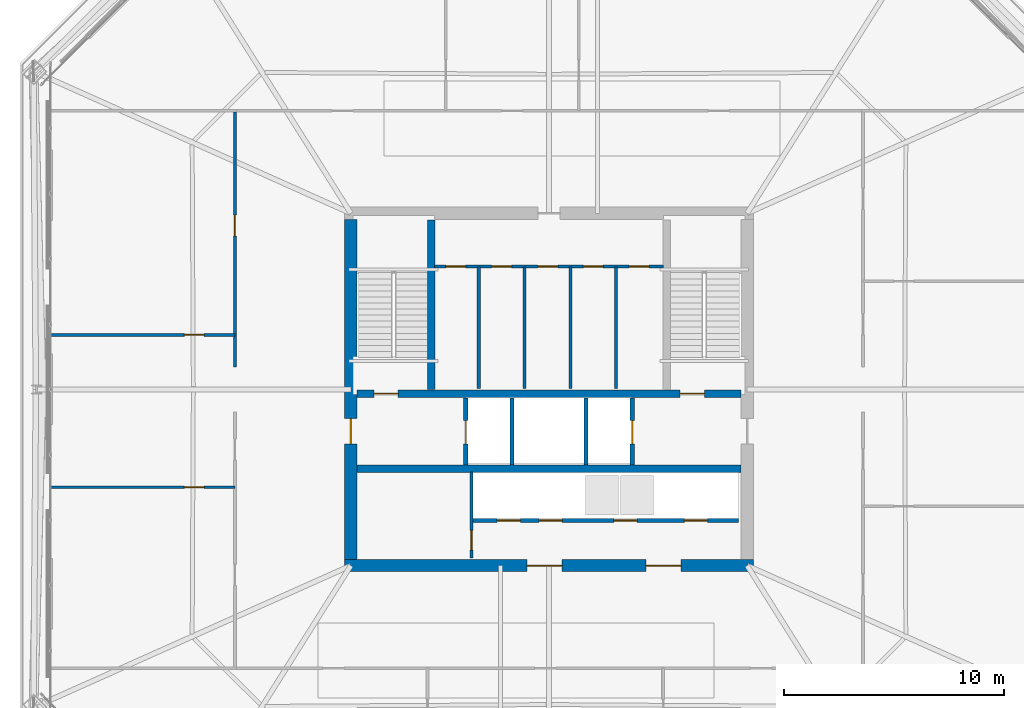
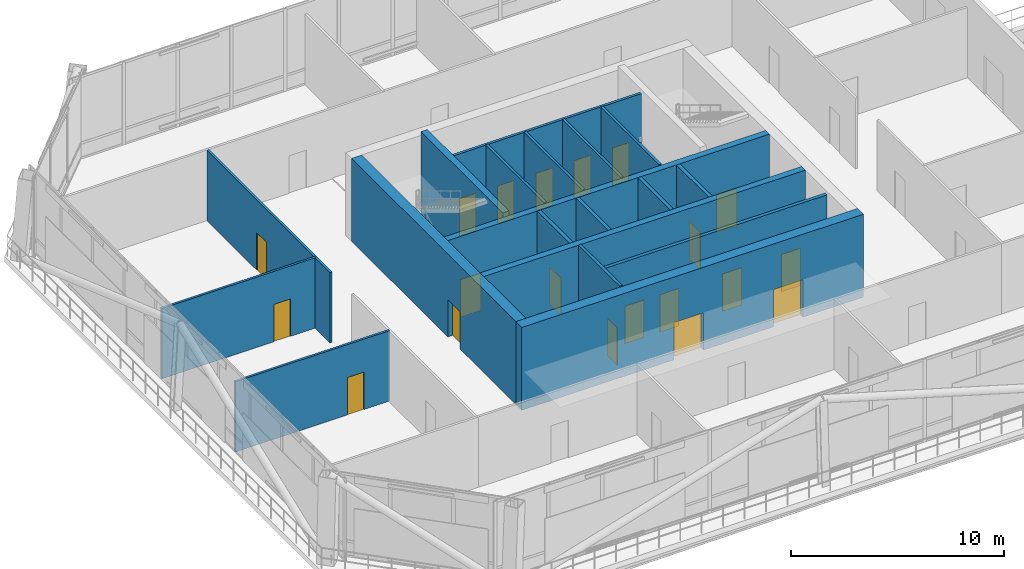
# One storey, part 28 of 34: 20 doors, 19 walls, 20 openings.
"""IFC4 building model written with IfcOpenShell, lengths in metres."""

from ifc_helpers import new_model, si_unit, direction, frame, frame_2d, origin, place, context, subcontext, project, spatial, rectangle, extrude, material, layer, layer_set, type_object, element, fill, save


model = new_model("IFC4")

# Units and contexts
model_context = context("Model", 3, precision=1e-05, world=origin(), true_north=direction((0.0, 1.0)))
body_context = subcontext(model_context, "Body", "Model", "MODEL_VIEW")
ifc_project = project(units=[si_unit("LENGTHUNIT", "METRE"), si_unit("AREAUNIT", "SQUARE_METRE"), si_unit("VOLUMEUNIT", "CUBIC_METRE"), si_unit("PLANEANGLEUNIT", "RADIAN"), si_unit("MASSUNIT", "GRAM", prefix="KILO")], contexts=[model_context])

# Site, building, storey
site_placement = place(None, origin())
site = spatial("IfcSite", under=ifc_project, at=site_placement, CompositionType="ELEMENT")
building_placement = place(site_placement, origin())
building = spatial("IfcBuilding", under=site, at=building_placement, Name="Caelvoria Tower", CompositionType="ELEMENT")
storey_placement = place(building_placement, frame((0.0, 0.0, 172.0)))
storey = spatial("IfcBuildingStorey", under=building, at=storey_placement, Name="L45", CompositionType="ELEMENT", Elevation=172.0)

# Wall, openings, doors
ifc_material_1 = material(Name="Concrete C50/60", Category="concrete")
ifc_layer_1 = layer(ifc_material_1, 0.35009765625, Name="Concrete C50/60")
ifc_layer_set_1 = layer_set([ifc_layer_1], Name="Core Internal Shear Wall 350 - Concrete C50/60")
wall_type_1 = type_object("IfcWallType", Name="Core Internal Shear Wall 350", PredefinedType="SHEAR", material=ifc_layer_set_1)
wall_1_placement = place(storey_placement, frame((37.27490234375, 31.800048828125, 0.0), z_axis=(0.0, 0.0, 1.0), x_axis=(1.0, 0.0, 0.0)))
wall_1 = element("IfcWall", 1, at=wall_1_placement, inside=storey, type_object=wall_type_1, Name="Core Shear Wall L45 M1", PredefinedType="SHEAR", context=body_context, shape_type="SweptSolid", body=[
    extrude(rectangle(XDim=17.4501953125, YDim=0.35009765625, at=frame_2d((8.72509765625, 0.0))), origin(), (0.0, 0.0, 1.0), 4.760009765625),
])
opening_1_placement = place(wall_1_placement, frame((0.77490234375, 0.0, 0.0)))
opening_1 = element("IfcOpeningElement", 2, at=opening_1_placement, cuts=wall_1, Name="Opening ID-01", PredefinedType="OPENING", context=body_context, shape_type="SweptSolid", body=[
    extrude(rectangle(XDim=1.10009765625, YDim=2.14990234375, at=frame_2d((0.550048828125, 1.074951171875))), frame((0.0, 0.18505859375, 0.0), z_axis=(0.0, -1.0, 0.0), x_axis=(1.0, 0.0, 0.0)), (0.0, 0.0, 1.0), 0.3701171875),
])
opening_2_placement = place(wall_1_placement, frame((14.675048828125, 0.0, 0.0)))
opening_2 = element("IfcOpeningElement", 3, at=opening_2_placement, cuts=wall_1, Name="Opening ID-01", PredefinedType="OPENING", context=body_context, shape_type="SweptSolid", body=[
    extrude(rectangle(XDim=1.10009765625, YDim=2.14990234375, at=frame_2d((0.550048828125, 1.074951171875))), frame((0.0, 0.18505859375, 0.0), z_axis=(0.0, -1.0, 0.0), x_axis=(1.0, 0.0, 0.0)), (0.0, 0.0, 1.0), 0.3701171875),
])
ifc_material_2 = material(Name="Painted Hollow Steel Fire Door", Category="steel")
door_type_1 = type_object("IfcDoorType", Name="Fire Door FD90S 1100x2150", OperationType="NOTDEFINED", PredefinedType="DOOR", material=ifc_material_2)
door_1_placement = place(opening_1_placement, origin())
door_1 = element("IfcDoor", 4, at=door_1_placement, inside=storey, type_object=door_type_1, Name="Core Door DR-L45-ST1", OperationType="SINGLE_SWING_LEFT", OverallHeight=2.14990234375, OverallWidth=1.10009765625, PredefinedType="DOOR", context=body_context, shape_type="SweptSolid", body=[
    extrude(rectangle(XDim=1.10009765625, YDim=2.14990234375, at=frame_2d((0.550048828125, 1.074951171875))), frame((0.0, 0.02490234375, 0.0), z_axis=(0.0, -1.0, 0.0), x_axis=(1.0, 0.0, 0.0)), (0.0, 0.0, 1.0), 0.050048828125),
])
fill(opening_1, door_1)
door_2_placement = place(opening_2_placement, origin())
door_2 = element("IfcDoor", 5, at=door_2_placement, inside=storey, type_object=door_type_1, Name="Core Door DR-L45-ST2", OperationType="SINGLE_SWING_RIGHT", OverallHeight=2.14990234375, OverallWidth=1.10009765625, PredefinedType="DOOR", context=body_context, shape_type="SweptSolid", body=[
    extrude(rectangle(XDim=1.10009765625, YDim=2.14990234375, at=frame_2d((0.550048828125, 1.074951171875))), frame((0.0, 0.02490234375, 0.0), z_axis=(0.0, -1.0, 0.0), x_axis=(1.0, 0.0, 0.0)), (0.0, 0.0, 1.0), 0.050048828125),
])
fill(opening_2, door_2)

# Walls
wall_2_placement = place(storey_placement, frame((37.27490234375, 28.39990234375, 0.0), z_axis=(0.0, 0.0, 1.0), x_axis=(1.0, 0.0, 0.0)))
element("IfcWall", 6, at=wall_2_placement, inside=storey, type_object=wall_type_1, Name="Core Shear Wall L45 M2", PredefinedType="SHEAR", context=body_context, shape_type="SweptSolid", body=[
    extrude(rectangle(XDim=17.4501953125, YDim=0.35009765625, at=frame_2d((8.72509765625, 0.0))), origin(), (0.0, 0.0, 1.0), 4.760009765625),
])
wall_3_placement = place(storey_placement, frame((40.64990234375, 32.0, 0.0), z_axis=(0.0, 0.0, 1.0), x_axis=(0.0, 1.0, 0.0)))
element("IfcWall", 7, at=wall_3_placement, inside=storey, type_object=wall_type_1, Name="Interior Partition IW-L45-ST1E", PredefinedType="SHEAR", context=body_context, shape_type="SweptSolid", body=[
    extrude(rectangle(XDim=7.699951171875, YDim=0.35009765625, at=frame_2d((3.85009765625, 0.0))), origin(), (0.0, 0.0, 1.0), 5.0),
])
ifc_material_3 = material(Name="Moisture-Resistant Gypsum on Steel Stud", Category="steel")
ifc_layer_2 = layer(ifc_material_3, 0.139892578125, Name="Moisture-Resistant Gypsum on Steel Stud")
ifc_layer_set_2 = layer_set([ifc_layer_2], Name="Core Sanitary Acoustic Partition Wall 140 - Moisture-Resistant Gypsum on Steel Stud")
wall_type_2 = type_object("IfcWallType", Name="Core Sanitary Acoustic Partition Wall 140", PredefinedType="PARTITIONING", material=ifc_layer_set_2)
for number, where, z_axis, x_axis, name in (
    (8, (42.81005859375, 32.050048828125, 0.0), (0.0, 0.0, 1.0), (0.0, 1.0, 0.0), "Interior Partition IW-L45-C1V0"),
    (9, (44.889892578125, 32.050048828125, 0.0), (0.0, 0.0, 1.0), (0.0, 1.0, 0.0), "Interior Partition IW-L45-C1V1"),
    (10, (46.969970703125, 32.050048828125, 0.0), (0.0, 0.0, 1.0), (0.0, 1.0, 0.0), "Interior Partition IW-L45-C1V2"),
    (11, (49.050048828125, 32.050048828125, 0.0), (0.0, 0.0, 1.0), (0.0, 1.0, 0.0), "Interior Partition IW-L45-C1V3"),
):
    element("IfcWall", number, at=place(storey_placement, frame(where, z_axis=z_axis, x_axis=x_axis)), inside=storey, type_object=wall_type_2, Name=name, PredefinedType="PARTITIONING", context=body_context, shape_type="SweptSolid", body=[
        extrude(rectangle(XDim=5.5, YDim=0.139892578125, at=frame_2d((2.75, 0.0))), origin(), (0.0, 0.0, 1.0), 4.760009765625),
    ])

# Wall, openings, doors
wall_4_placement = place(storey_placement, frame((40.800048828125, 37.580078125, 0.0), z_axis=(0.0, 0.0, 1.0), x_axis=(1.0, 0.0, 0.0)))
wall_4 = element("IfcWall", 12, at=wall_4_placement, inside=storey, type_object=wall_type_2, Name="Interior Partition IW-L45-C1H", PredefinedType="PARTITIONING", context=body_context, shape_type="SweptSolid", body=[
    extrude(rectangle(XDim=10.39990234375, YDim=0.139892578125, at=frame_2d((5.199951171875, 0.0))), origin(), (0.0, 0.0, 1.0), 4.760009765625),
])
opening_3_placement = place(wall_4_placement, frame((0.52001953125, 0.0, 0.0)))
opening_3 = element("IfcOpeningElement", 13, at=opening_3_placement, cuts=wall_4, Name="Opening ID-06", PredefinedType="OPENING", context=body_context, shape_type="SweptSolid", body=[
    extrude(rectangle(XDim=0.89990234375, YDim=2.14990234375, at=frame_2d((0.449951171875, 1.074951171875))), frame((0.0, 0.079833984375, 0.0), z_axis=(0.0, -1.0, 0.0), x_axis=(1.0, 0.0, 0.0)), (0.0, 0.0, 1.0), 0.159912109375),
])
opening_4_placement = place(wall_4_placement, frame((2.60009765625, 0.0, 0.0)))
opening_4 = element("IfcOpeningElement", 14, at=opening_4_placement, cuts=wall_4, Name="Opening ID-06", PredefinedType="OPENING", context=body_context, shape_type="SweptSolid", body=[
    extrude(rectangle(XDim=0.89990234375, YDim=2.14990234375, at=frame_2d((0.449951171875, 1.074951171875))), frame((0.0, 0.079833984375, 0.0), z_axis=(0.0, -1.0, 0.0), x_axis=(1.0, 0.0, 0.0)), (0.0, 0.0, 1.0), 0.159912109375),
])
opening_5_placement = place(wall_4_placement, frame((4.679931640625, 0.0, 0.0)))
opening_5 = element("IfcOpeningElement", 15, at=opening_5_placement, cuts=wall_4, Name="Opening ID-07", PredefinedType="OPENING", context=body_context, shape_type="SweptSolid", body=[
    extrude(rectangle(XDim=0.919921875, YDim=2.14990234375, at=frame_2d((0.4599609375, 1.074951171875))), frame((0.0, 0.079833984375, 0.0), z_axis=(0.0, -1.0, 0.0), x_axis=(1.0, 0.0, 0.0)), (0.0, 0.0, 1.0), 0.159912109375),
])
opening_6_placement = place(wall_4_placement, frame((6.760009765625, 0.0, 0.0)))
opening_6 = element("IfcOpeningElement", 16, at=opening_6_placement, cuts=wall_4, Name="Opening ID-06", PredefinedType="OPENING", context=body_context, shape_type="SweptSolid", body=[
    extrude(rectangle(XDim=0.89990234375, YDim=2.14990234375, at=frame_2d((0.449951171875, 1.074951171875))), frame((0.0, 0.079833984375, 0.0), z_axis=(0.0, -1.0, 0.0), x_axis=(1.0, 0.0, 0.0)), (0.0, 0.0, 1.0), 0.159912109375),
])
opening_7_placement = place(wall_4_placement, frame((8.840087890625, 0.0, 0.0)))
opening_7 = element("IfcOpeningElement", 17, at=opening_7_placement, cuts=wall_4, Name="Opening ID-06", PredefinedType="OPENING", context=body_context, shape_type="SweptSolid", body=[
    extrude(rectangle(XDim=0.89990234375, YDim=2.14990234375, at=frame_2d((0.449951171875, 1.074951171875))), frame((0.0, 0.079833984375, 0.0), z_axis=(0.0, -1.0, 0.0), x_axis=(1.0, 0.0, 0.0)), (0.0, 0.0, 1.0), 0.159912109375),
])
ifc_material_4 = material(Name="Engineered Andean Oak Accessible Door", Category="wood")
door_type_2 = type_object("IfcDoorType", Name="Accessible WC Door 950x2150", OperationType="NOTDEFINED", PredefinedType="DOOR", material=ifc_material_4)
door_3_placement = place(opening_5_placement, origin())
door_3 = element("IfcDoor", 18, at=door_3_placement, inside=storey, type_object=door_type_2, Name="Interior Door DR-L45-C1-3", OperationType="SINGLE_SWING_LEFT", OverallHeight=2.14990234375, OverallWidth=0.919921875, PredefinedType="DOOR", context=body_context, shape_type="SweptSolid", body=[
    extrude(rectangle(XDim=0.919921875, YDim=2.14990234375, at=frame_2d((0.4599609375, 1.074951171875))), frame((0.0, 0.02490234375, 0.0), z_axis=(0.0, -1.0, 0.0), x_axis=(1.0, 0.0, 0.0)), (0.0, 0.0, 1.0), 0.050048828125),
])
fill(opening_5, door_3)
ifc_material_5 = material(Name="Engineered Andean Oak Veneer Door", Category="wood")
door_type_3 = type_object("IfcDoorType", Name="Interior Timber Door 900x2150", OperationType="NOTDEFINED", PredefinedType="DOOR", material=ifc_material_5)
door_4_placement = place(opening_3_placement, origin())
door_4 = element("IfcDoor", 19, at=door_4_placement, inside=storey, type_object=door_type_3, Name="Interior Door DR-L45-C1-1", OperationType="SINGLE_SWING_LEFT", OverallHeight=2.14990234375, OverallWidth=0.89990234375, PredefinedType="DOOR", context=body_context, shape_type="SweptSolid", body=[
    extrude(rectangle(XDim=0.89990234375, YDim=2.14990234375, at=frame_2d((0.449951171875, 1.074951171875))), frame((0.0, 0.02490234375, 0.0), z_axis=(0.0, -1.0, 0.0), x_axis=(1.0, 0.0, 0.0)), (0.0, 0.0, 1.0), 0.050048828125),
])
fill(opening_3, door_4)
door_5_placement = place(opening_4_placement, origin())
door_5 = element("IfcDoor", 20, at=door_5_placement, inside=storey, type_object=door_type_3, Name="Interior Door DR-L45-C1-2", OperationType="SINGLE_SWING_RIGHT", OverallHeight=2.14990234375, OverallWidth=0.89990234375, PredefinedType="DOOR", context=body_context, shape_type="SweptSolid", body=[
    extrude(rectangle(XDim=0.89990234375, YDim=2.14990234375, at=frame_2d((0.449951171875, 1.074951171875))), frame((0.0, 0.02490234375, 0.0), z_axis=(0.0, -1.0, 0.0), x_axis=(1.0, 0.0, 0.0)), (0.0, 0.0, 1.0), 0.050048828125),
])
fill(opening_4, door_5)
door_6_placement = place(opening_6_placement, origin())
door_6 = element("IfcDoor", 21, at=door_6_placement, inside=storey, type_object=door_type_3, Name="Interior Door DR-L45-C1-4", OperationType="SINGLE_SWING_RIGHT", OverallHeight=2.14990234375, OverallWidth=0.89990234375, PredefinedType="DOOR", context=body_context, shape_type="SweptSolid", body=[
    extrude(rectangle(XDim=0.89990234375, YDim=2.14990234375, at=frame_2d((0.449951171875, 1.074951171875))), frame((0.0, 0.02490234375, 0.0), z_axis=(0.0, -1.0, 0.0), x_axis=(1.0, 0.0, 0.0)), (0.0, 0.0, 1.0), 0.050048828125),
])
fill(opening_6, door_6)
door_7_placement = place(opening_7_placement, origin())
door_7 = element("IfcDoor", 22, at=door_7_placement, inside=storey, type_object=door_type_3, Name="Interior Door DR-L45-C1-5", OperationType="SINGLE_SWING_LEFT", OverallHeight=2.14990234375, OverallWidth=0.89990234375, PredefinedType="DOOR", context=body_context, shape_type="SweptSolid", body=[
    extrude(rectangle(XDim=0.89990234375, YDim=2.14990234375, at=frame_2d((0.449951171875, 1.074951171875))), frame((0.0, 0.02490234375, 0.0), z_axis=(0.0, -1.0, 0.0), x_axis=(1.0, 0.0, 0.0)), (0.0, 0.0, 1.0), 0.050048828125),
])
fill(opening_7, door_7)

# Wall, opening, door
ifc_material_6 = material(Name="Double Gypsum Board on Steel Stud", Category="steel")
ifc_layer_3 = layer(ifc_material_6, 0.14990234375, Name="Double Gypsum Board on Steel Stud")
ifc_layer_set_3 = layer_set([ifc_layer_3], Name="Core Service Acoustic Partition Wall 150 - Double Gypsum Board on Steel Stud")
wall_type_3 = type_object("IfcWallType", Name="Core Service Acoustic Partition Wall 150", PredefinedType="PARTITIONING", material=ifc_layer_set_3)
wall_5_placement = place(storey_placement, frame((42.47998046875, 24.35009765625, 0.0), z_axis=(0.0, 0.0, 1.0), x_axis=(0.0, 1.0, 0.0)))
wall_5 = element("IfcWall", 23, at=wall_5_placement, inside=storey, type_object=wall_type_3, Name="Interior Partition IW-L45-RECL1E", PredefinedType="PARTITIONING", context=body_context, shape_type="SweptSolid", body=[
    extrude(rectangle(XDim=3.89990234375, YDim=0.14990234375, at=frame_2d((1.949951171875, 0.0))), origin(), (0.0, 0.0, 1.0), 4.760009765625),
])
opening_8_placement = place(wall_5_placement, frame((0.35009765625, 0.0, 0.0)))
opening_8 = element("IfcOpeningElement", 24, at=opening_8_placement, cuts=wall_5, Name="Opening ID-04", PredefinedType="OPENING", context=body_context, shape_type="SweptSolid", body=[
    extrude(rectangle(XDim=0.89990234375, YDim=2.14990234375, at=frame_2d((0.449951171875, 1.074951171875))), frame((0.0, 0.0849609375, 0.0), z_axis=(0.0, -1.0, 0.0), x_axis=(1.0, 0.0, 0.0)), (0.0, 0.0, 1.0), 0.169921875),
])
ifc_material_7 = material(Name="Acoustic Timber Fire Door", Category="wood")
door_type_4 = type_object("IfcDoorType", Name="Fire Door FD30S 900x2150", OperationType="NOTDEFINED", PredefinedType="DOOR", material=ifc_material_7)
door_8_placement = place(opening_8_placement, origin())
door_8 = element("IfcDoor", 25, at=door_8_placement, inside=storey, type_object=door_type_4, Name="Interior Door DR-L45-RECL1", OperationType="SINGLE_SWING_LEFT", OverallHeight=2.14990234375, OverallWidth=0.89990234375, PredefinedType="DOOR", context=body_context, shape_type="SweptSolid", body=[
    extrude(rectangle(XDim=0.89990234375, YDim=2.14990234375, at=frame_2d((0.449951171875, 1.074951171875))), frame((0.0, 0.02490234375, 0.0), z_axis=(0.0, -1.0, 0.0), x_axis=(1.0, 0.0, 0.0)), (0.0, 0.0, 1.0), 0.050048828125),
])
fill(opening_8, door_8)

# Walls
ifc_material_8 = material(Name="Concrete Block and Fireboard Assembly", Category="concrete")
ifc_layer_4 = layer(ifc_material_8, 0.179931640625, Name="Concrete Block and Fireboard Assembly")
ifc_layer_set_4 = layer_set([ifc_layer_4], Name="Fire-Rated Hoistway Partition Wall 180 - Concrete Block and Fireboard Assembly")
wall_type_4 = type_object("IfcWallType", Name="Fire-Rated Hoistway Partition Wall 180", PredefinedType="PARTITIONING", material=ifc_layer_set_4)
for number, where, z_axis, x_axis, name in (
    (26, (44.320068359375, 28.580078125, 0.0), (0.0, 0.0, 1.0), (0.0, 1.0, 0.0), "Interior Partition IW-L45-SV1W"),
    (27, (47.679931640625, 28.580078125, 0.0), (0.0, 0.0, 1.0), (0.0, 1.0, 0.0), "Interior Partition IW-L45-SV1E"),
):
    element("IfcWall", number, at=place(storey_placement, frame(where, z_axis=z_axis, x_axis=x_axis)), inside=storey, type_object=wall_type_4, Name=name, PredefinedType="PARTITIONING", context=body_context, shape_type="SweptSolid", body=[
        extrude(rectangle(XDim=3.0400390625, YDim=0.179931640625, at=frame_2d((1.52001953125, 0.0))), origin(), (0.0, 0.0, 1.0), 4.760009765625),
    ])

# Wall, openings, doors
wall_6_placement = place(storey_placement, frame((42.550048828125, 26.050048828125, 0.0), z_axis=(0.0, 0.0, 1.0), x_axis=(1.0, 0.0, 0.0)))
wall_6 = element("IfcWall", 28, at=wall_6_placement, inside=storey, type_object=wall_type_4, Name="Interior Partition IW-L45-LFRONT", PredefinedType="PARTITIONING", context=body_context, shape_type="SweptSolid", body=[
    extrude(rectangle(XDim=12.050048828125, YDim=0.179931640625, at=frame_2d((6.02490234375, 0.0))), origin(), (0.0, 0.0, 1.0), 4.760009765625),
])
opening_9_placement = place(wall_6_placement, frame((1.10009765625, 0.0, 0.0)))
opening_9 = element("IfcOpeningElement", 29, at=opening_9_placement, cuts=wall_6, Name="Opening LD-01", PredefinedType="OPENING", context=body_context, shape_type="SweptSolid", body=[
    extrude(rectangle(XDim=1.050048828125, YDim=2.14990234375, at=frame_2d((0.52490234375, 1.074951171875))), frame((0.0, 0.099853515625, 0.0), z_axis=(0.0, -1.0, 0.0), x_axis=(1.0, 0.0, 0.0)), (0.0, 0.0, 1.0), 0.199951171875),
])
opening_10_placement = place(wall_6_placement, frame((3.0, 0.0, 0.0)))
opening_10 = element("IfcOpeningElement", 30, at=opening_10_placement, cuts=wall_6, Name="Opening LD-01", PredefinedType="OPENING", context=body_context, shape_type="SweptSolid", body=[
    extrude(rectangle(XDim=1.050048828125, YDim=2.14990234375, at=frame_2d((0.52490234375, 1.074951171875))), frame((0.0, 0.099853515625, 0.0), z_axis=(0.0, -1.0, 0.0), x_axis=(1.0, 0.0, 0.0)), (0.0, 0.0, 1.0), 0.199951171875),
])
opening_11_placement = place(wall_6_placement, frame((6.39990234375, 0.0, 0.0)))
opening_11 = element("IfcOpeningElement", 31, at=opening_11_placement, cuts=wall_6, Name="Opening LD-01", PredefinedType="OPENING", context=body_context, shape_type="SweptSolid", body=[
    extrude(rectangle(XDim=1.050048828125, YDim=2.14990234375, at=frame_2d((0.52490234375, 1.074951171875))), frame((0.0, 0.099853515625, 0.0), z_axis=(0.0, -1.0, 0.0), x_axis=(1.0, 0.0, 0.0)), (0.0, 0.0, 1.0), 0.199951171875),
])
opening_12_placement = place(wall_6_placement, frame((9.60009765625, 0.0, 0.0)))
opening_12 = element("IfcOpeningElement", 32, at=opening_12_placement, cuts=wall_6, Name="Opening LD-01", PredefinedType="OPENING", context=body_context, shape_type="SweptSolid", body=[
    extrude(rectangle(XDim=1.050048828125, YDim=2.14990234375, at=frame_2d((0.52490234375, 1.074951171875))), frame((0.0, 0.099853515625, 0.0), z_axis=(0.0, -1.0, 0.0), x_axis=(1.0, 0.0, 0.0)), (0.0, 0.0, 1.0), 0.199951171875),
])
ifc_material_9 = material(Name="Brushed Bronze Stainless Sliding Landing Door", Category="aluminium")
door_type_5 = type_object("IfcDoorType", Name="Lift Landing Sliding Door 1100x2150", OperationType="NOTDEFINED", PredefinedType="DOOR", material=ifc_material_9)
door_9_placement = place(opening_9_placement, origin())
door_9 = element("IfcDoor", 33, at=door_9_placement, inside=storey, type_object=door_type_5, Name="Interior Door LD-L45-PM1", OperationType="SLIDING_TO_LEFT", OverallHeight=2.14990234375, OverallWidth=1.050048828125, PredefinedType="DOOR", context=body_context, shape_type="SweptSolid", body=[
    extrude(rectangle(XDim=1.050048828125, YDim=2.14990234375, at=frame_2d((0.52490234375, 1.074951171875))), frame((0.0, 0.02490234375, 0.0), z_axis=(0.0, -1.0, 0.0), x_axis=(1.0, 0.0, 0.0)), (0.0, 0.0, 1.0), 0.050048828125),
])
fill(opening_9, door_9)
door_10_placement = place(opening_10_placement, origin())
door_10 = element("IfcDoor", 34, at=door_10_placement, inside=storey, type_object=door_type_5, Name="Interior Door LD-L45-PM2", OperationType="SLIDING_TO_RIGHT", OverallHeight=2.14990234375, OverallWidth=1.050048828125, PredefinedType="DOOR", context=body_context, shape_type="SweptSolid", body=[
    extrude(rectangle(XDim=1.050048828125, YDim=2.14990234375, at=frame_2d((0.52490234375, 1.074951171875))), frame((0.0, 0.02490234375, 0.0), z_axis=(0.0, -1.0, 0.0), x_axis=(1.0, 0.0, 0.0)), (0.0, 0.0, 1.0), 0.050048828125),
])
fill(opening_10, door_10)
door_11_placement = place(opening_11_placement, origin())
door_11 = element("IfcDoor", 35, at=door_11_placement, inside=storey, type_object=door_type_5, Name="Interior Door LD-L45-PH1", OperationType="SLIDING_TO_LEFT", OverallHeight=2.14990234375, OverallWidth=1.050048828125, PredefinedType="DOOR", context=body_context, shape_type="SweptSolid", body=[
    extrude(rectangle(XDim=1.050048828125, YDim=2.14990234375, at=frame_2d((0.52490234375, 1.074951171875))), frame((0.0, 0.02490234375, 0.0), z_axis=(0.0, -1.0, 0.0), x_axis=(1.0, 0.0, 0.0)), (0.0, 0.0, 1.0), 0.050048828125),
])
fill(opening_11, door_11)
door_12_placement = place(opening_12_placement, origin())
door_12 = element("IfcDoor", 36, at=door_12_placement, inside=storey, type_object=door_type_5, Name="Interior Door LD-L45-PS1", OperationType="SLIDING_TO_RIGHT", OverallHeight=2.14990234375, OverallWidth=1.050048828125, PredefinedType="DOOR", context=body_context, shape_type="SweptSolid", body=[
    extrude(rectangle(XDim=1.050048828125, YDim=2.14990234375, at=frame_2d((0.52490234375, 1.074951171875))), frame((0.0, 0.02490234375, 0.0), z_axis=(0.0, -1.0, 0.0), x_axis=(1.0, 0.0, 0.0)), (0.0, 0.0, 1.0), 0.050048828125),
])
fill(opening_12, door_12)

# Wall, opening, door
ifc_layer_5 = layer(ifc_material_8, 0.199951171875, Name="Concrete Block and Fireboard Assembly")
ifc_layer_set_5 = layer_set([ifc_layer_5], Name="Fire-Rated Shaft and Core Partition Wall 200 - Concrete Block and Fireboard Assembly")
wall_type_5 = type_object("IfcWallType", Name="Fire-Rated Shaft and Core Partition Wall 200", PredefinedType="PARTITIONING", material=ifc_layer_set_5)
wall_7_placement = place(storey_placement, frame((42.219970703125, 28.580078125, 0.0), z_axis=(0.0, 0.0, 1.0), x_axis=(0.0, 1.0, 0.0)))
wall_7 = element("IfcWall", 37, at=wall_7_placement, inside=storey, type_object=wall_type_5, Name="Interior Partition IW-L45-LF1W", PredefinedType="PARTITIONING", context=body_context, shape_type="SweptSolid", body=[
    extrude(rectangle(XDim=3.0400390625, YDim=0.199951171875, at=frame_2d((1.52001953125, 0.0))), origin(), (0.0, 0.0, 1.0), 4.760009765625),
])
opening_13_placement = place(wall_7_placement, frame((0.949951171875, 0.0, 0.0)))
opening_13 = element("IfcOpeningElement", 38, at=opening_13_placement, cuts=wall_7, Name="Opening LD-01", PredefinedType="OPENING", context=body_context, shape_type="SweptSolid", body=[
    extrude(rectangle(XDim=1.050048828125, YDim=2.14990234375, at=frame_2d((0.52490234375, 1.074951171875))), frame((0.0, 0.10986328125, 0.0), z_axis=(0.0, -1.0, 0.0), x_axis=(1.0, 0.0, 0.0)), (0.0, 0.0, 1.0), 0.219970703125),
])
door_13_placement = place(opening_13_placement, origin())
door_13 = element("IfcDoor", 39, at=door_13_placement, inside=storey, type_object=door_type_5, Name="Interior Door LD-L45-LF1", OperationType="SLIDING_TO_LEFT", OverallHeight=2.14990234375, OverallWidth=1.050048828125, PredefinedType="DOOR", context=body_context, shape_type="SweptSolid", body=[
    extrude(rectangle(XDim=1.050048828125, YDim=2.14990234375, at=frame_2d((0.52490234375, 1.074951171875))), frame((0.0, 0.02490234375, 0.0), z_axis=(0.0, -1.0, 0.0), x_axis=(1.0, 0.0, 0.0)), (0.0, 0.0, 1.0), 0.050048828125),
])
fill(opening_13, door_13)

wall_8_placement = place(storey_placement, frame((49.780029296875, 28.580078125, 0.0), z_axis=(0.0, 0.0, 1.0), x_axis=(0.0, 1.0, 0.0)))
wall_8 = element("IfcWall", 40, at=wall_8_placement, inside=storey, type_object=wall_type_5, Name="Interior Partition IW-L45-LF2E", PredefinedType="PARTITIONING", context=body_context, shape_type="SweptSolid", body=[
    extrude(rectangle(XDim=3.0400390625, YDim=0.199951171875, at=frame_2d((1.52001953125, 0.0))), origin(), (0.0, 0.0, 1.0), 4.760009765625),
])
opening_14_placement = place(wall_8_placement, frame((0.949951171875, 0.0, 0.0)))
opening_14 = element("IfcOpeningElement", 41, at=opening_14_placement, cuts=wall_8, Name="Opening LD-01", PredefinedType="OPENING", context=body_context, shape_type="SweptSolid", body=[
    extrude(rectangle(XDim=1.050048828125, YDim=2.14990234375, at=frame_2d((0.52490234375, 1.074951171875))), frame((0.0, 0.10986328125, 0.0), z_axis=(0.0, -1.0, 0.0), x_axis=(1.0, 0.0, 0.0)), (0.0, 0.0, 1.0), 0.219970703125),
])
door_14_placement = place(opening_14_placement, origin())
door_14 = element("IfcDoor", 42, at=door_14_placement, inside=storey, type_object=door_type_5, Name="Interior Door LD-L45-LF2", OperationType="SLIDING_TO_RIGHT", OverallHeight=2.14990234375, OverallWidth=1.050048828125, PredefinedType="DOOR", context=body_context, shape_type="SweptSolid", body=[
    extrude(rectangle(XDim=1.050048828125, YDim=2.14990234375, at=frame_2d((0.52490234375, 1.074951171875))), frame((0.0, 0.02490234375, 0.0), z_axis=(0.0, -1.0, 0.0), x_axis=(1.0, 0.0, 0.0)), (0.0, 0.0, 1.0), 0.050048828125),
])
fill(opening_14, door_14)

# Wall, openings, doors
ifc_material_10 = material(Name="Concrete C55/67", Category="concrete")
ifc_layer_6 = layer(ifc_material_10, 0.550048828125, Name="Concrete C55/67")
ifc_layer_set_6 = layer_set([ifc_layer_6], Name="Mid Core Shear Wall 550 - Concrete C55/67")
wall_type_6 = type_object("IfcWallType", Name="Mid Core Shear Wall 550", PredefinedType="SHEAR", material=ifc_layer_set_6)
wall_9_placement = place(storey_placement, frame((36.72509765625, 24.0, 0.0), z_axis=(0.0, 0.0, 1.0), x_axis=(1.0, 0.0, 0.0)))
wall_9 = element("IfcWall", 43, at=wall_9_placement, inside=storey, type_object=wall_type_6, Name="Core Shear Wall L45 S", PredefinedType="SHEAR", context=body_context, shape_type="SweptSolid", body=[
    extrude(rectangle(XDim=18.5498046875, YDim=0.550048828125, at=frame_2d((9.27490234375, 0.0))), origin(), (0.0, 0.0, 1.0), 4.760009765625),
])
opening_15_placement = place(wall_9_placement, frame((8.27490234375, 0.0, 0.0)))
opening_15 = element("IfcOpeningElement", 44, at=opening_15_placement, cuts=wall_9, Name="Opening ID-08", PredefinedType="OPENING", context=body_context, shape_type="SweptSolid", body=[
    extrude(rectangle(XDim=1.60009765625, YDim=2.14990234375, at=frame_2d((0.800048828125, 1.074951171875))), frame((0.0, 0.284912109375, 0.0), z_axis=(0.0, -1.0, 0.0), x_axis=(1.0, 0.0, 0.0)), (0.0, 0.0, 1.0), 0.570068359375),
])
opening_16_placement = place(wall_9_placement, frame((13.675048828125, 0.0, 0.0)))
opening_16 = element("IfcOpeningElement", 45, at=opening_16_placement, cuts=wall_9, Name="Opening ID-08", PredefinedType="OPENING", context=body_context, shape_type="SweptSolid", body=[
    extrude(rectangle(XDim=1.60009765625, YDim=2.14990234375, at=frame_2d((0.800048828125, 1.074951171875))), frame((0.0, 0.284912109375, 0.0), z_axis=(0.0, -1.0, 0.0), x_axis=(1.0, 0.0, 0.0)), (0.0, 0.0, 1.0), 0.570068359375),
])
ifc_material_11 = material(Name="Bronze-Framed Fire-Rated Glazed Double Door", Category="aluminium")
door_type_6 = type_object("IfcDoorType", Name="Double Lobby Glazed Door 1600x2200", OperationType="NOTDEFINED", PredefinedType="DOOR", material=ifc_material_11)
door_15_placement = place(opening_15_placement, origin())
door_15 = element("IfcDoor", 46, at=door_15_placement, inside=storey, type_object=door_type_6, Name="Core Door DR-L45-LLOB-S1", OperationType="DOUBLE_DOOR_SINGLE_SWING", OverallHeight=2.14990234375, OverallWidth=1.60009765625, PredefinedType="DOOR", context=body_context, shape_type="SweptSolid", body=[
    extrude(rectangle(XDim=1.60009765625, YDim=2.14990234375, at=frame_2d((0.800048828125, 1.074951171875))), frame((0.0, 0.02490234375, 0.0), z_axis=(0.0, -1.0, 0.0), x_axis=(1.0, 0.0, 0.0)), (0.0, 0.0, 1.0), 0.050048828125),
])
fill(opening_15, door_15)
door_16_placement = place(opening_16_placement, origin())
door_16 = element("IfcDoor", 47, at=door_16_placement, inside=storey, type_object=door_type_6, Name="Core Door DR-L45-LLOB-S2", OperationType="DOUBLE_DOOR_SINGLE_SWING", OverallHeight=2.14990234375, OverallWidth=1.60009765625, PredefinedType="DOOR", context=body_context, shape_type="SweptSolid", body=[
    extrude(rectangle(XDim=1.60009765625, YDim=2.14990234375, at=frame_2d((0.800048828125, 1.074951171875))), frame((0.0, 0.02490234375, 0.0), z_axis=(0.0, -1.0, 0.0), x_axis=(1.0, 0.0, 0.0)), (0.0, 0.0, 1.0), 0.050048828125),
])
fill(opening_16, door_16)

# Wall, opening, door
wall_10_placement = place(storey_placement, frame((37.0, 24.27490234375, 0.0), z_axis=(0.0, 0.0, 1.0), x_axis=(0.0, 1.0, 0.0)))
wall_10 = element("IfcWall", 48, at=wall_10_placement, inside=storey, type_object=wall_type_6, Name="Core Shear Wall L45 W", PredefinedType="SHEAR", context=body_context, shape_type="SweptSolid", body=[
    extrude(rectangle(XDim=15.4501953125, YDim=0.550048828125, at=frame_2d((7.72509765625, 0.0))), origin(), (0.0, 0.0, 1.0), 4.760009765625),
])
opening_17_placement = place(wall_10_placement, frame((5.25, 0.0, 0.0)))
opening_17 = element("IfcOpeningElement", 49, at=opening_17_placement, cuts=wall_10, Name="Opening ID-02", PredefinedType="OPENING", context=body_context, shape_type="SweptSolid", body=[
    extrude(rectangle(XDim=1.14990234375, YDim=2.14990234375, at=frame_2d((0.574951171875, 1.074951171875))), frame((0.0, 0.284912109375, 0.0), z_axis=(0.0, -1.0, 0.0), x_axis=(1.0, 0.0, 0.0)), (0.0, 0.0, 1.0), 0.570068359375),
])
door_type_7 = type_object("IfcDoorType", Name="Fire Door FD60S 1150x2150", OperationType="NOTDEFINED", PredefinedType="DOOR", material=ifc_material_2)
door_17_placement = place(opening_17_placement, origin())
door_17 = element("IfcDoor", 50, at=door_17_placement, inside=storey, type_object=door_type_7, Name="Core Door DR-L45-FFLW-OUT", OperationType="SINGLE_SWING_LEFT", OverallHeight=2.14990234375, OverallWidth=1.14990234375, PredefinedType="DOOR", context=body_context, shape_type="SweptSolid", body=[
    extrude(rectangle(XDim=1.14990234375, YDim=2.14990234375, at=frame_2d((0.574951171875, 1.074951171875))), frame((0.0, 0.02490234375, 0.0), z_axis=(0.0, -1.0, 0.0), x_axis=(1.0, 0.0, 0.0)), (0.0, 0.0, 1.0), 0.050048828125),
])
fill(opening_17, door_17)

ifc_material_12 = material(Name="Acoustic Gypsum Board on Light-Gauge Stud", Category="gypsum")
ifc_layer_7 = layer(ifc_material_12, 0.1201171875, Name="Acoustic Gypsum Board on Light-Gauge Stud")
ifc_layer_set_7 = layer_set([ifc_layer_7], Name="Tenant Suite Acoustic Partition Wall 120 - Acoustic Gypsum Board on Light-Gauge Stud")
wall_type_7 = type_object("IfcWallType", Name="Tenant Suite Acoustic Partition Wall 120", PredefinedType="PARTITIONING", material=ifc_layer_set_7)
wall_11_placement = place(storey_placement, frame((31.739990234375, 27.552734375, 0.0), z_axis=(0.0, 0.0, 1.0), x_axis=(-1.0, 0.0, 0.0)))
wall_11 = element("IfcWall", 51, at=wall_11_placement, inside=storey, type_object=wall_type_7, Name="Interior Partition IW-L45-WD-00-0", PredefinedType="PARTITIONING", context=body_context, shape_type="SweptSolid", body=[
    extrude(rectangle(XDim=8.3798828125, YDim=0.1201171875, at=frame_2d((4.18994140625, 0.0))), origin(), (0.0, 0.0, 1.0), 4.0400390625),
])
opening_18_placement = place(wall_11_placement, frame((1.39990234375, 0.0, 0.0)))
opening_18 = element("IfcOpeningElement", 52, at=opening_18_placement, cuts=wall_11, Name="Opening ID-06", PredefinedType="OPENING", context=body_context, shape_type="SweptSolid", body=[
    extrude(rectangle(XDim=0.89990234375, YDim=2.14990234375, at=frame_2d((0.449951171875, 1.074951171875))), frame((0.0, 0.070068359375, 0.0), z_axis=(0.0, -1.0, 0.0), x_axis=(1.0, 0.0, 0.0)), (0.0, 0.0, 1.0), 0.14013671875),
])
door_18_placement = place(opening_18_placement, origin())
door_18 = element("IfcDoor", 53, at=door_18_placement, inside=storey, type_object=door_type_3, Name="Interior Door DR-L45-WM-00-0", OperationType="SINGLE_SWING_RIGHT", OverallHeight=2.14990234375, OverallWidth=0.89990234375, PredefinedType="DOOR", context=body_context, shape_type="SweptSolid", body=[
    extrude(rectangle(XDim=0.89990234375, YDim=2.14990234375, at=frame_2d((0.449951171875, 1.074951171875))), frame((0.0, 0.02490234375, 0.0), z_axis=(0.0, -1.0, 0.0), x_axis=(1.0, 0.0, 0.0)), (0.0, 0.0, 1.0), 0.050048828125),
])
fill(opening_18, door_18)

wall_12_placement = place(storey_placement, frame((31.739990234375, 34.47509765625, 0.0), z_axis=(0.0, 0.0, 1.0), x_axis=(-1.0, 0.0, 0.0)))
wall_12 = element("IfcWall", 54, at=wall_12_placement, inside=storey, type_object=wall_type_7, Name="Interior Partition IW-L45-WD-01-0", PredefinedType="PARTITIONING", context=body_context, shape_type="SweptSolid", body=[
    extrude(rectangle(XDim=8.3798828125, YDim=0.1201171875, at=frame_2d((4.18994140625, 0.0))), origin(), (0.0, 0.0, 1.0), 4.0400390625),
])
opening_19_placement = place(wall_12_placement, frame((1.39990234375, 0.0, 0.0)))
opening_19 = element("IfcOpeningElement", 55, at=opening_19_placement, cuts=wall_12, Name="Opening ID-06", PredefinedType="OPENING", context=body_context, shape_type="SweptSolid", body=[
    extrude(rectangle(XDim=0.89990234375, YDim=2.14990234375, at=frame_2d((0.449951171875, 1.074951171875))), frame((0.0, 0.070068359375, 0.0), z_axis=(0.0, -1.0, 0.0), x_axis=(1.0, 0.0, 0.0)), (0.0, 0.0, 1.0), 0.14013671875),
])
door_19_placement = place(opening_19_placement, origin())
door_19 = element("IfcDoor", 56, at=door_19_placement, inside=storey, type_object=door_type_3, Name="Interior Door DR-L45-WM-01-0", OperationType="SINGLE_SWING_LEFT", OverallHeight=2.14990234375, OverallWidth=0.89990234375, PredefinedType="DOOR", context=body_context, shape_type="SweptSolid", body=[
    extrude(rectangle(XDim=0.89990234375, YDim=2.14990234375, at=frame_2d((0.449951171875, 1.074951171875))), frame((0.0, 0.02490234375, 0.0), z_axis=(0.0, -1.0, 0.0), x_axis=(1.0, 0.0, 0.0)), (0.0, 0.0, 1.0), 0.050048828125),
])
fill(opening_19, door_19)

wall_13_placement = place(storey_placement, frame((31.739990234375, 33.02001953125, 0.0), z_axis=(0.0, 0.0, 1.0), x_axis=(0.0, 1.0, 0.0)))
wall_13 = element("IfcWall", 57, at=wall_13_placement, inside=storey, type_object=wall_type_7, Name="Interior Partition IW-L45-WCW-1", PredefinedType="PARTITIONING", context=body_context, shape_type="SweptSolid", body=[
    extrude(rectangle(XDim=11.580078125, YDim=0.1201171875, at=frame_2d((5.7900390625, 0.0))), origin(), (0.0, 0.0, 1.0), 4.0400390625),
])
opening_20_placement = place(wall_13_placement, frame((5.942626953125, 0.0, 0.0)))
opening_20 = element("IfcOpeningElement", 58, at=opening_20_placement, cuts=wall_13, Name="Opening ID-05", PredefinedType="OPENING", context=body_context, shape_type="SweptSolid", body=[
    extrude(rectangle(XDim=0.949951171875, YDim=2.14990234375, at=frame_2d((0.47509765625, 1.074951171875))), frame((0.0, 0.070068359375, 0.0), z_axis=(0.0, -1.0, 0.0), x_axis=(1.0, 0.0, 0.0)), (0.0, 0.0, 1.0), 0.14013671875),
])
door_type_8 = type_object("IfcDoorType", Name="Interior Timber Door 950x2150", OperationType="NOTDEFINED", PredefinedType="DOOR", material=ifc_material_5)
door_20_placement = place(opening_20_placement, origin())
door_20 = element("IfcDoor", 59, at=door_20_placement, inside=storey, type_object=door_type_8, Name="Interior Door DR-L45-WC-02-0", OperationType="SINGLE_SWING_RIGHT", OverallHeight=2.14990234375, OverallWidth=0.949951171875, PredefinedType="DOOR", context=body_context, shape_type="SweptSolid", body=[
    extrude(rectangle(XDim=0.949951171875, YDim=2.14990234375, at=frame_2d((0.47509765625, 1.074951171875))), frame((0.0, 0.02490234375, 0.0), z_axis=(0.0, -1.0, 0.0), x_axis=(1.0, 0.0, 0.0)), (0.0, 0.0, 1.0), 0.050048828125),
])
fill(opening_20, door_20)

save(model, "model.ifc")
